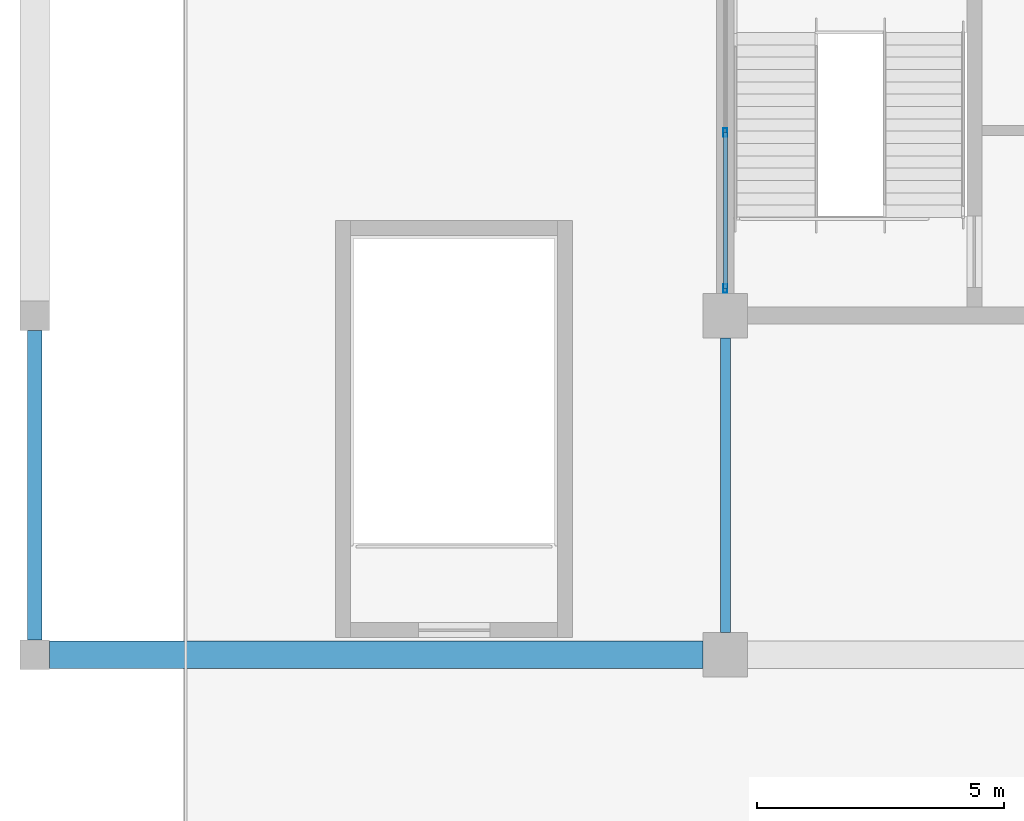
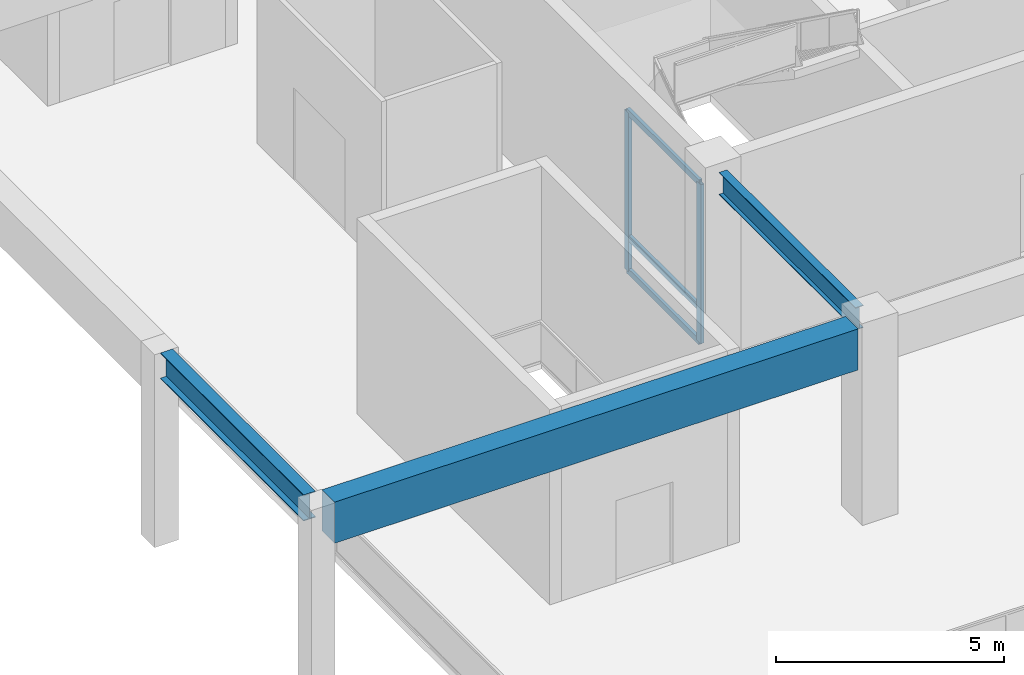
# One storey, part 12 of 90: 5 members, 3 beams, 1 element without a shape of its own.
"""IFC4 building model written with IfcOpenShell, lengths in metres."""

import ifcopenshell
import ifcopenshell.guid

model = None  # the IFC model being written
_history = None  # IfcOwnerHistory: only IFC2X3 demands one
_inside = {}  # id of a spatial element -> (the spatial element, [elements in it])
_under = {}  # id of a project, library or spatial element -> (it, [spatial elements below it])
_declared = {}  # id of a project -> (the project, [libraries it declares])
_typed = {}  # id of a type object -> (the type object, [elements of that type])
_made_of = {}  # id of a material, layer set ... -> (it, [elements and type objects made of it])


def new_model(schema):
    """Start an empty IFC model of exactly this schema.

    Asked for "IFC4X3", IfcOpenShell would pick the latest addendum, in which some entities
    have other attributes; the version numbers below select the first issue.
    IFC2X3 requires an IfcOwnerHistory on every rooted entity: one is made here for all.
    """
    global model, _history
    if schema == "IFC4X3":
        model = ifcopenshell.file(schema_version=(4, 3, 0, 0))
    else:
        model = ifcopenshell.file(schema=schema)
    _inside.clear()
    _under.clear()
    _declared.clear()
    _typed.clear()
    _made_of.clear()
    _history = None
    if model.schema == "IFC2X3":
        org = make("IfcOrganization", Name="unknown")
        user = make(
            "IfcPersonAndOrganization",
            ThePerson=make("IfcPerson", FamilyName="unknown"),
            TheOrganization=org,
        )
        app = make(
            "IfcApplication",
            ApplicationDeveloper=org,
            Version="unknown",
            ApplicationFullName="unknown",
            ApplicationIdentifier="unknown",
        )
        _history = make(
            "IfcOwnerHistory",
            OwningUser=user,
            OwningApplication=app,
            ChangeAction="ADDED",
            CreationDate=0,
        )
    return model


def make(cls, **values):
    """One entity of the class cls with the attributes given. An attribute that is None is left unset."""
    return model.create_entity(
        cls, **{name: value for name, value in values.items() if value is not None}
    )


def rooted(cls, **values):
    """An entity with a GlobalId (a new one), such as an element, a storey or a relation."""
    return make(cls, GlobalId=ifcopenshell.guid.new(), OwnerHistory=_history, **values)


def si_unit(unit_type, name, prefix=None):
    """IfcSIUnit, for example si_unit("LENGTHUNIT", "METRE", prefix="MILLI")."""
    return make("IfcSIUnit", UnitType=unit_type, Prefix=prefix, Name=name)


def assignment(units):
    """IfcUnitAssignment: the units of a project."""
    return None if units is None else make("IfcUnitAssignment", Units=units)


def point(xyz):
    """IfcCartesianPoint."""
    return None if xyz is None else make("IfcCartesianPoint", Coordinates=xyz)


def direction(xyz):
    """IfcDirection."""
    return None if xyz is None else make("IfcDirection", DirectionRatios=xyz)


def frame(location, z_axis=None, x_axis=None):
    """IfcAxis2Placement3D, a coordinate frame: its origin and axes. An axis left out is left unset."""
    return make(
        "IfcAxis2Placement3D",
        Location=point(location),
        Axis=direction(z_axis),
        RefDirection=direction(x_axis),
    )


def frame_2d(location, x_axis=None):
    """IfcAxis2Placement2D, a coordinate frame in the plane: its origin and x axis."""
    return make(
        "IfcAxis2Placement2D", Location=point(location), RefDirection=direction(x_axis)
    )


def origin():
    """The frame at (0, 0, 0) with its axes left unset."""
    return frame((0.0, 0.0, 0.0))


def origin_2d():
    """The frame at (0, 0) in the plane with its x axis left unset."""
    return frame_2d((0.0, 0.0))


def place(relative_to, where):
    """IfcLocalPlacement: puts the frame where relative to a parent placement (None: the world)."""
    return make(
        "IfcLocalPlacement", PlacementRelTo=relative_to, RelativePlacement=where
    )


def context(
    kind, dimensions, precision=None, world=None, true_north=None, identifier=None
):
    """IfcGeometricRepresentationContext, for example the 3D "Model" context."""
    return make(
        "IfcGeometricRepresentationContext",
        ContextIdentifier=identifier,
        ContextType=kind,
        CoordinateSpaceDimension=dimensions,
        Precision=precision,
        WorldCoordinateSystem=world,
        TrueNorth=true_north,
    )


def subcontext(parent, identifier, kind, view, scale=None):
    """IfcGeometricRepresentationSubContext, for example "Body" below "Model"."""
    return make(
        "IfcGeometricRepresentationSubContext",
        ContextIdentifier=identifier,
        ContextType=kind,
        ParentContext=parent,
        TargetScale=scale,
        TargetView=view,
    )


def project(units=None, contexts=None):
    """IfcProject with its units and contexts."""
    return rooted(
        "IfcProject",
        Name="project",
        RepresentationContexts=contexts,
        UnitsInContext=assignment(units),
    )


def spatial(cls, under=None, at=None, **own):
    """A site, building, storey or space (cls), placed at a placement, below another one or the project."""
    s = rooted(cls, ObjectPlacement=at, **own)
    if under is not None:
        _under.setdefault(under.id(), (under, []))[1].append(s)
    return s


def profile(cls, at=None, kind="AREA", **sizes):
    """A parametric profile (cls). Its sizes go by their IFC names, for example OverallWidth=200.0."""
    return make(cls, ProfileType=kind, Position=at, **sizes)


def rectangle(**sizes):
    """IfcRectangleProfileDef."""
    return profile("IfcRectangleProfileDef", **sizes)


def hollow_rectangle(**sizes):
    """IfcRectangleHollowProfileDef."""
    return profile("IfcRectangleHollowProfileDef", **sizes)


def i_section(**sizes):
    """IfcIShapeProfileDef."""
    return profile("IfcIShapeProfileDef", **sizes)


def extrude(swept, where, along, depth):
    """IfcExtrudedAreaSolid: the profile swept, set in the frame where, extruded along a direction by depth."""
    return make(
        "IfcExtrudedAreaSolid",
        SweptArea=swept,
        Position=where,
        ExtrudedDirection=direction(along),
        Depth=depth,
    )


def shape(context_of_items, identifier, shape_type, items):
    """IfcShapeRepresentation: the items that make up one representation, for example the "Body"."""
    return make(
        "IfcShapeRepresentation",
        ContextOfItems=context_of_items,
        RepresentationIdentifier=identifier,
        RepresentationType=shape_type,
        Items=items,
    )


def material(Name=None, Category=None):
    """IfcMaterial."""
    return make("IfcMaterial", Name=Name, Category=Category)


def material_profile(
    of_material, cross_section, Name=None, Category=None, Priority=None
):
    """IfcMaterialProfile: a cross section and its material."""
    return make(
        "IfcMaterialProfile",
        Name=Name,
        Material=of_material,
        Profile=cross_section,
        Priority=Priority,
        Category=Category,
    )


def profile_set(profiles, Name=None, composite=None):
    """IfcMaterialProfileSet."""
    return make(
        "IfcMaterialProfileSet",
        Name=Name,
        MaterialProfiles=profiles,
        CompositeProfile=composite,
    )


def made_of(thing, what):
    """Note that an element or type object is made of a material, layer set ...; save() writes the relation."""
    if what is not None:
        _made_of.setdefault(what.id(), (what, []))[1].append(thing)
    return thing


def type_object(cls, material=None, **own):
    """A type object (cls), such as IfcWallType, which elements share."""
    return made_of(rooted(cls, **own), material)


def element(
    cls,
    number,
    at=None,
    inside=None,
    cuts=None,
    type_object=None,
    material=None,
    context=None,
    identifier="Body",
    shape_type=None,
    held_by="IfcProductDefinitionShape",
    body=None,
    shapes=None,
    **own,
):
    """One element of the class cls, such as IfcWall. Its Tag is "e" and its number.

    at: its placement. inside: the storey or other place that contains it. cuts: it is an
    opening in that element (IfcRelVoidsElement). A single representation is given by context,
    identifier, shape_type and body (its items); several are given by shapes. held_by: the class
    of the entity that holds the representations. save() writes the other relations.
    """
    e = rooted(cls, Tag="e%d" % number, ObjectPlacement=at, **own)
    if body is not None:
        shapes = [shape(context, identifier, shape_type, body)]
    if shapes is not None:
        e.Representation = make(held_by, Representations=shapes)
    if inside is not None:
        _inside.setdefault(inside.id(), (inside, []))[1].append(e)
    if cuts is not None:
        rooted(
            "IfcRelVoidsElement", RelatingBuildingElement=cuts, RelatedOpeningElement=e
        )
    if type_object is not None:
        _typed.setdefault(type_object.id(), (type_object, []))[1].append(e)
    return made_of(e, material)


def aggregate(whole, parts):
    """IfcRelAggregates: a whole, such as a stair, and the parts it consists of."""
    return rooted("IfcRelAggregates", RelatingObject=whole, RelatedObjects=parts)


def save(model, path):
    """Write the relations noted so far, then the file.

    IfcRelAggregates (storeys below a building ...), IfcRelContainedInSpatialStructure (elements
    in a storey), IfcRelDefinesByType, IfcRelAssociatesMaterial and IfcRelDeclares: one each for
    every whole, place, type object, material and project.
    """
    for whole, parts in _under.values():
        aggregate(whole, parts)
    for where, things in _inside.values():
        rooted(
            "IfcRelContainedInSpatialStructure",
            RelatedElements=things,
            RelatingStructure=where,
        )
    for kind, things in _typed.values():
        rooted("IfcRelDefinesByType", RelatedObjects=things, RelatingType=kind)
    for what, things in _made_of.values():
        rooted("IfcRelAssociatesMaterial", RelatedObjects=things, RelatingMaterial=what)
    for by, libraries in _declared.values():
        rooted("IfcRelDeclares", RelatingContext=by, RelatedDefinitions=libraries)
    model.write(path)


model = new_model("IFC4")

# Units and contexts
model_context = context("Model", 3, precision=1e-05, world=origin(), true_north=direction((0.0, 1.0)))
body_context = subcontext(model_context, "Body", "Model", "MODEL_VIEW")
ifc_project = project(units=[si_unit("LENGTHUNIT", "METRE"), si_unit("AREAUNIT", "SQUARE_METRE"), si_unit("VOLUMEUNIT", "CUBIC_METRE"), si_unit("PLANEANGLEUNIT", "RADIAN"), si_unit("MASSUNIT", "GRAM", prefix="KILO")], contexts=[model_context])

# Site, building, storey
site_placement = place(None, origin())
site = spatial("IfcSite", under=ifc_project, at=site_placement, CompositionType="ELEMENT")
building_placement = place(site_placement, origin())
building = spatial("IfcBuilding", under=site, at=building_placement, Name="Linyun Crest Stadium", CompositionType="ELEMENT")
storey_placement = place(building_placement, frame((0.0, 0.0, 21.0)))
storey = spatial("IfcBuildingStorey", under=building, at=storey_placement, Name="L05", CompositionType="ELEMENT", Elevation=21.0)

# Beams
ifc_material_1 = material(Name="Steel Q355C", Category="steel")
ifc_material_profile_1 = material_profile(ifc_material_1, i_section(OverallWidth=0.199951171875, OverallDepth=0.60009765625, WebThickness=0.010986328125, FlangeThickness=0.01708984375, at=origin_2d()), Name="HN 600x200")
ifc_profile_set_1 = profile_set([ifc_material_profile_1], Name="Steel Q355C")
beam_type_1 = type_object("IfcBeamType", Name="B11", PredefinedType="BEAM", material=ifc_profile_set_1)
beam_1_placement = place(storey_placement, frame((-84.0, -45.550048828125, 4.860107421875), z_axis=(0.0, 1.0, 0.0), x_axis=(-1.0, 0.0, 0.0)))
element("IfcBeam", 1, at=beam_1_placement, inside=storey, type_object=beam_type_1, Name="Frame beam B11 L05 365", PredefinedType="BEAM", context=body_context, shape_type="SweptSolid", body=[
    extrude(i_section(OverallWidth=0.199951171875, OverallDepth=0.60009765625, WebThickness=0.010986328125, FlangeThickness=0.01708984375, at=origin_2d()), origin(), (0.0, 0.0, 1.0), 5.97509765625),
])
ifc_material_2 = material(Name="Steel Q355C", Category="steel")
ifc_material_profile_2 = material_profile(ifc_material_2, i_section(OverallWidth=0.300048828125, OverallDepth=0.699951171875, WebThickness=0.012939453125, FlangeThickness=0.02392578125, at=origin_2d()), Name="HN 700x300")
ifc_profile_set_2 = profile_set([ifc_material_profile_2], Name="Steel Q355C")
beam_type_2 = type_object("IfcBeamType", Name="B12", PredefinedType="BEAM", material=ifc_profile_set_2)
beam_2_placement = place(storey_placement, frame((-98.0, -45.699951171875, 4.81005859375), z_axis=(0.0, 1.0, 0.0), x_axis=(-1.0, 0.0, 0.0)))
element("IfcBeam", 2, at=beam_2_placement, inside=storey, type_object=beam_type_2, Name="Frame beam B12 L05 358", PredefinedType="BEAM", context=body_context, shape_type="SweptSolid", body=[
    extrude(i_section(OverallWidth=0.300048828125, OverallDepth=0.699951171875, WebThickness=0.012939453125, FlangeThickness=0.02392578125, at=origin_2d()), origin(), (0.0, 0.0, 1.0), 6.27490234375),
])

# Curtain wall, members
ifc_material_3 = material(Name="Verdigris steel and low-E curtain wall assembly", Category="steel")
curtain_wall_type = type_object("IfcCurtainWallType", Name="MCW01", PredefinedType="NOTDEFINED", material=ifc_material_3)
curtain_wall_placement = place(storey_placement, origin())
curtain_wall = element("IfcCurtainWall", 3, at=curtain_wall_placement, inside=storey, type_object=curtain_wall_type, Name="CWR-076", PredefinedType="NOTDEFINED")
ifc_material_4 = material(Name="Verdigris painted steel Q355B mullion", Category="steel")
ifc_material_profile_3 = material_profile(ifc_material_4, hollow_rectangle(XDim=0.080078125, YDim=0.179931640625, WallThickness=0.006103515625, at=origin_2d()), Name="RHS 180x80x6")
ifc_profile_set_3 = profile_set([ifc_material_profile_3], Name="Verdigris painted steel Q355B mullion")
member_type_1 = type_object("IfcMemberType", Name="ML02", PredefinedType="MULLION", material=ifc_profile_set_3)
member_1_placement = place(storey_placement, frame((-84.0, -38.574951171875, 0.0), z_axis=(0.0, 0.0, 1.0), x_axis=(-1.0, 0.0, 0.0)))
member_1 = element("IfcMember", 4, at=member_1_placement, type_object=member_type_1, Name="CWR-076 mullion 1", PredefinedType="MULLION", context=body_context, shape_type="SweptSolid", body=[
    extrude(hollow_rectangle(XDim=0.080078125, YDim=0.179931640625, WallThickness=0.006103515625, at=origin_2d()), origin(), (0.0, 0.0, 1.0), 4.25),
])
member_2_placement = place(storey_placement, frame((-84.0, -35.412109375, 0.0), z_axis=(0.0, 0.0, 1.0), x_axis=(-1.0, 0.0, 0.0)))
member_2 = element("IfcMember", 5, at=member_2_placement, type_object=member_type_1, Name="CWR-076 mullion 2", PredefinedType="MULLION", context=body_context, shape_type="SweptSolid", body=[
    extrude(hollow_rectangle(XDim=0.080078125, YDim=0.179931640625, WallThickness=0.006103515625, at=origin_2d()), origin(), (0.0, 0.0, 1.0), 4.25),
])

# Beam
ifc_material_5 = material(Name="Concrete C50", Category="concrete")
ifc_material_profile_4 = material_profile(ifc_material_5, rectangle(XDim=0.550048828125, YDim=1.10009765625, at=origin_2d()), Name="RCB 1100x550")
ifc_profile_set_4 = profile_set([ifc_material_profile_4], Name="Concrete C50")
beam_type_3 = type_object("IfcBeamType", Name="TB01", PredefinedType="USERDEFINED", material=ifc_profile_set_4)
beam_3_placement = place(storey_placement, frame((-97.699951171875, -46.0, 4.610107421875), z_axis=(1.0, 0.0, 0.0), x_axis=(0.0, 1.0, 0.0)))
element("IfcBeam", 6, at=beam_3_placement, inside=storey, type_object=beam_type_3, Name="Frame beam TB01 L05 349", ObjectType="GIRDER", PredefinedType="USERDEFINED", context=body_context, shape_type="SweptSolid", body=[
    extrude(rectangle(XDim=0.550048828125, YDim=1.10009765625, at=origin_2d()), origin(), (0.0, 0.0, 1.0), 13.25),
])

# Member
ifc_material_6 = material(Name="Aluminium thermally broken transom", Category="aluminium")
ifc_material_profile_5 = material_profile(ifc_material_6, hollow_rectangle(XDim=0.080078125, YDim=0.159912109375, WallThickness=0.006103515625, at=origin_2d()), Name="RHS 160x80x6")
ifc_profile_set_5 = profile_set([ifc_material_profile_5], Name="Aluminium thermally broken transom")
member_type_2 = type_object("IfcMemberType", Name="TR01", PredefinedType="USERDEFINED", material=ifc_profile_set_5)
member_3_placement = place(storey_placement, frame((-84.0, -38.574951171875, 0.0), z_axis=(0.0, 1.0, 0.0), x_axis=(-1.0, 0.0, 0.0)))
member_3 = element("IfcMember", 7, at=member_3_placement, type_object=member_type_2, Name="CWR-076 transom 1.1", ObjectType="TRANSOM", PredefinedType="USERDEFINED", context=body_context, shape_type="SweptSolid", body=[
    extrude(hollow_rectangle(XDim=0.080078125, YDim=0.159912109375, WallThickness=0.006103515625, at=origin_2d()), origin(), (0.0, 0.0, 1.0), 3.162841796875),
])

member_4_placement = place(storey_placement, frame((-84.0, -38.574951171875, 0.89990234375), z_axis=(0.0, 1.0, 0.0), x_axis=(-1.0, 0.0, 0.0)))
member_4 = element("IfcMember", 8, at=member_4_placement, type_object=member_type_2, Name="CWR-076 transom 1.2", ObjectType="TRANSOM", PredefinedType="USERDEFINED", context=body_context, shape_type="SweptSolid", body=[
    extrude(hollow_rectangle(XDim=0.080078125, YDim=0.159912109375, WallThickness=0.006103515625, at=origin_2d()), origin(), (0.0, 0.0, 1.0), 3.162841796875),
])

member_5_placement = place(storey_placement, frame((-84.0, -38.574951171875, 4.25), z_axis=(0.0, 1.0, 0.0), x_axis=(-1.0, 0.0, 0.0)))
member_5 = element("IfcMember", 9, at=member_5_placement, type_object=member_type_2, Name="CWR-076 transom 1.3", ObjectType="TRANSOM", PredefinedType="USERDEFINED", context=body_context, shape_type="SweptSolid", body=[
    extrude(hollow_rectangle(XDim=0.080078125, YDim=0.159912109375, WallThickness=0.006103515625, at=origin_2d()), origin(), (0.0, 0.0, 1.0), 3.162841796875),
])

aggregate(curtain_wall, [member_1, member_2, member_3, member_4, member_5])

save(model, "model.ifc")
